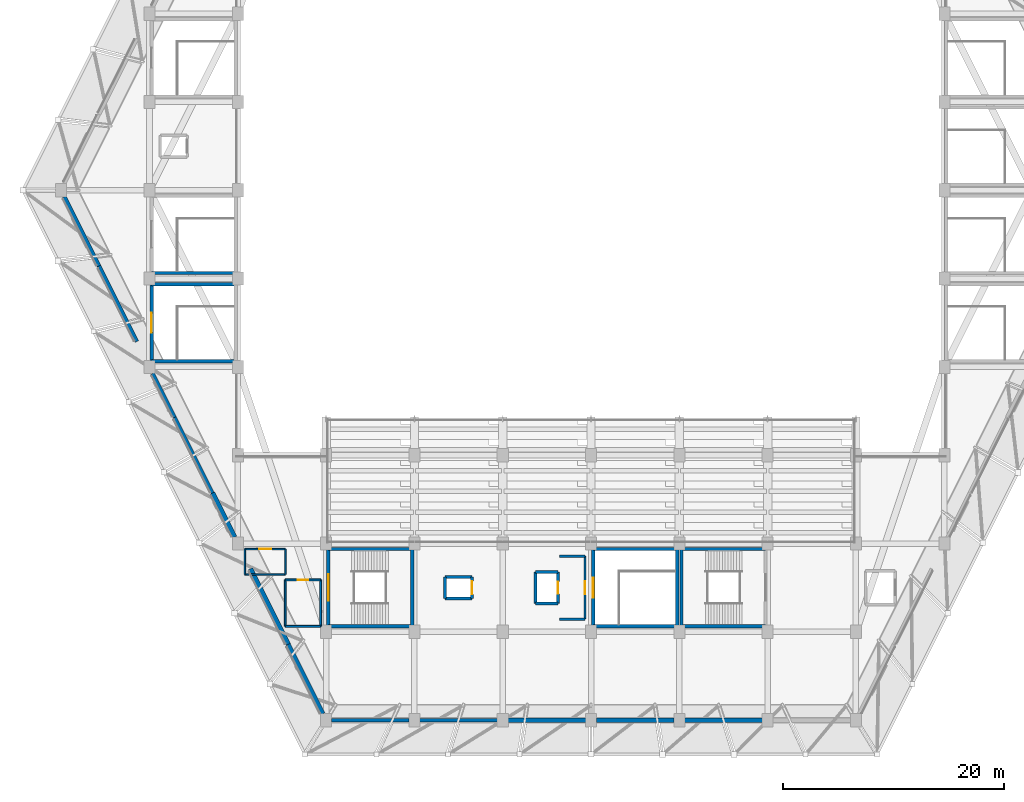
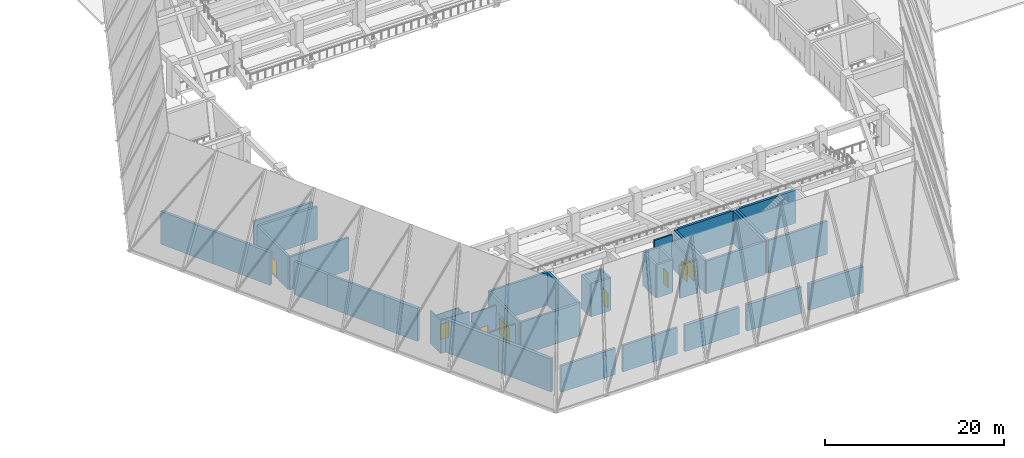
# One storey, part 15 of 24: 46 walls, 8 doors, 8 openings.
"""IFC4 building model written with IfcOpenShell, lengths in metres."""

from ifc_helpers import new_model, si_unit, direction, frame, frame_2d, origin, place, context, subcontext, project, spatial, rectangle, extrude, material, layer, layer_set, type_object, element, fill, save


model = new_model("IFC4")

# Units and contexts
model_context = context("Model", 3, precision=1e-05, world=origin(), true_north=direction((0.0, 1.0)))
body_context = subcontext(model_context, "Body", "Model", "MODEL_VIEW")
ifc_project = project(units=[si_unit("LENGTHUNIT", "METRE"), si_unit("AREAUNIT", "SQUARE_METRE"), si_unit("VOLUMEUNIT", "CUBIC_METRE"), si_unit("PLANEANGLEUNIT", "RADIAN"), si_unit("MASSUNIT", "GRAM", prefix="KILO")], contexts=[model_context])

# Site, building, storey
site_placement = place(None, origin())
site = spatial("IfcSite", under=ifc_project, at=site_placement, CompositionType="ELEMENT")
building_placement = place(site_placement, origin())
building = spatial("IfcBuilding", under=site, at=building_placement, Name="Tazarka Park Arena", CompositionType="ELEMENT")
storey_placement = place(building_placement, frame((0.0, 0.0, 15.0)))
storey = spatial("IfcBuildingStorey", under=building, at=storey_placement, Name="L03", CompositionType="ELEMENT", Elevation=15.0)

# Wall
ifc_material_1 = material(Name="Concrete C40/50", Category="concrete")
ifc_layer_1 = layer(ifc_material_1, 0.300048828125, Name="Concrete C40/50")
ifc_layer_set_1 = layer_set([ifc_layer_1], Name="Concrete C40/50")
wall_type_1 = type_object("IfcWallType", Name="IWAL-CW-S1", PredefinedType="SHEAR", material=ifc_layer_set_1)
wall_1_placement = place(storey_placement, frame((71.800048828125, 24.5, 0.0), z_axis=(0.0, 0.0, 1.0), x_axis=(-1.0, 0.0, 0.0)))
element("IfcWall", 1, at=wall_1_placement, inside=storey, type_object=wall_type_1, Name="SCW-L03-ST09-S", PredefinedType="SHEAR", context=body_context, shape_type="SweptSolid", body=[
    extrude(rectangle(XDim=7.60009765625, YDim=0.300048828125, at=frame_2d((3.800048828125, 0.0))), origin(), (0.0, 0.0, 1.0), 4.5),
])

# Wall, opening, door
wall_2_placement = place(storey_placement, frame((64.199951171875, 24.5, 0.0), z_axis=(0.0, 0.0, 1.0), x_axis=(0.0, 1.0, 0.0)))
wall_2 = element("IfcWall", 2, at=wall_2_placement, inside=storey, type_object=wall_type_1, Name="SCW-L03-ST09-W", PredefinedType="SHEAR", context=body_context, shape_type="SweptSolid", body=[
    extrude(rectangle(XDim=7.0, YDim=0.300048828125, at=frame_2d((3.5, 0.0))), origin(), (0.0, 0.0, 1.0), 4.5),
])
opening_1_placement = place(wall_2_placement, frame((2.300048828125, 0.0, 0.0)))
opening_1 = element("IfcOpeningElement", 3, at=opening_1_placement, cuts=wall_2, Name="Opening ID-05", PredefinedType="OPENING", context=body_context, shape_type="SweptSolid", body=[
    extrude(rectangle(XDim=2.39990234375, YDim=2.199951171875, at=frame_2d((1.199951171875, 1.10009765625))), frame((0.0, 0.16015625, 0.0), z_axis=(0.0, -1.0, 0.0), x_axis=(1.0, 0.0, 0.0)), (0.0, 0.0, 1.0), 0.320068359375),
])
ifc_material_2 = material(Name="Fire-rated powder-coated steel and acoustic timber", Category="steel")
door_type_1 = type_object("IfcDoorType", Name="IDR-ID-05", OperationType="NOTDEFINED", PredefinedType="DOOR", material=ifc_material_2)
door_1_placement = place(opening_1_placement, frame((2.39990234375, 0.0, 0.0), z_axis=(0.0, 0.0, 1.0), x_axis=(-1.0, 0.0, 0.0)))
door_1 = element("IfcDoor", 4, at=door_1_placement, inside=storey, type_object=door_type_1, Name="Exit Stair Door ST09-L03", OperationType="DOUBLE_DOOR_SINGLE_SWING", OverallHeight=2.199951171875, OverallWidth=2.39990234375, PredefinedType="DOOR", context=body_context, shape_type="SweptSolid", body=[
    extrude(rectangle(XDim=2.39990234375, YDim=2.199951171875, at=frame_2d((1.199951171875, 1.10009765625))), frame((0.0, 0.02490234375, 0.0), z_axis=(0.0, -1.0, 0.0), x_axis=(1.0, 0.0, 0.0)), (0.0, 0.0, 1.0), 0.050048828125),
])
fill(opening_1, door_1)

# Walls
wall_3_placement = place(storey_placement, frame((64.199951171875, 31.5, 0.0), z_axis=(0.0, 0.0, 1.0), x_axis=(1.0, 0.0, 0.0)))
element("IfcWall", 5, at=wall_3_placement, inside=storey, type_object=wall_type_1, Name="SCW-L03-ST09-N", PredefinedType="SHEAR", context=body_context, shape_type="SweptSolid", body=[
    extrude(rectangle(XDim=7.60009765625, YDim=0.300048828125, at=frame_2d((3.800048828125, 0.0))), origin(), (0.0, 0.0, 1.0), 4.5),
])
wall_4_placement = place(storey_placement, frame((71.800048828125, 31.5, 0.0), z_axis=(0.0, 0.0, 1.0), x_axis=(0.0, -1.0, 0.0)))
element("IfcWall", 6, at=wall_4_placement, inside=storey, type_object=wall_type_1, Name="SCW-L03-ST09-E", PredefinedType="SHEAR", context=body_context, shape_type="SweptSolid", body=[
    extrude(rectangle(XDim=7.0, YDim=0.300048828125, at=frame_2d((3.5, 0.0))), origin(), (0.0, 0.0, 1.0), 4.5),
])
wall_5_placement = place(storey_placement, frame((103.800048828125, 24.5, 0.0), z_axis=(0.0, 0.0, 1.0), x_axis=(-1.0, 0.0, 0.0)))
element("IfcWall", 7, at=wall_5_placement, inside=storey, type_object=wall_type_1, Name="SCW-L03-ST11-S", PredefinedType="SHEAR", context=body_context, shape_type="SweptSolid", body=[
    extrude(rectangle(XDim=7.60009765625, YDim=0.300048828125, at=frame_2d((3.800048828125, 0.0))), origin(), (0.0, 0.0, 1.0), 4.5),
])
wall_6_placement = place(storey_placement, frame((96.199951171875, 24.5, 0.0), z_axis=(0.0, 0.0, 1.0), x_axis=(0.0, 1.0, 0.0)))
element("IfcWall", 8, at=wall_6_placement, inside=storey, type_object=wall_type_1, Name="SCW-L03-ST11-W", PredefinedType="SHEAR", context=body_context, shape_type="SweptSolid", body=[
    extrude(rectangle(XDim=7.0, YDim=0.300048828125, at=frame_2d((3.5, 0.0))), origin(), (0.0, 0.0, 1.0), 4.5),
])
for number, where, z_axis, x_axis, name in (
    (9, (96.199951171875, 31.5, 0.0), (0.0, 0.0, 1.0), (1.0, 0.0, 0.0), "SCW-L03-ST11-N"),
    (10, (55.800048828125, 56.5, 0.0), (0.0, 0.0, 1.0), (-1.0, 0.0, 0.0), "SCW-L03-ST13-S"),
    (11, (55.800048828125, 48.5, 0.0), (0.0, 0.0, 1.0), (-1.0, 0.0, 0.0), "SCW-L03-ST19-S"),
):
    element("IfcWall", number, at=place(storey_placement, frame(where, z_axis=z_axis, x_axis=x_axis)), inside=storey, type_object=wall_type_1, Name=name, PredefinedType="SHEAR", context=body_context, shape_type="SweptSolid", body=[
        extrude(rectangle(XDim=7.60009765625, YDim=0.300048828125, at=frame_2d((3.800048828125, 0.0))), origin(), (0.0, 0.0, 1.0), 4.5),
    ])

# Wall, opening, door
wall_7_placement = place(storey_placement, frame((48.199951171875, 48.5, 0.0), z_axis=(0.0, 0.0, 1.0), x_axis=(0.0, 1.0, 0.0)))
wall_7 = element("IfcWall", 12, at=wall_7_placement, inside=storey, type_object=wall_type_1, Name="SCW-L03-ST19-W", PredefinedType="SHEAR", context=body_context, shape_type="SweptSolid", body=[
    extrude(rectangle(XDim=7.0, YDim=0.300048828125, at=frame_2d((3.5, 0.0))), origin(), (0.0, 0.0, 1.0), 4.5),
])
opening_2_placement = place(wall_7_placement, frame((2.60009765625, 0.0, 0.0)))
opening_2 = element("IfcOpeningElement", 13, at=opening_2_placement, cuts=wall_7, Name="Opening ID-04", PredefinedType="OPENING", context=body_context, shape_type="SweptSolid", body=[
    extrude(rectangle(XDim=1.800048828125, YDim=2.199951171875, at=frame_2d((0.89990234375, 1.10009765625))), frame((0.0, 0.16015625, 0.0), z_axis=(0.0, -1.0, 0.0), x_axis=(1.0, 0.0, 0.0)), (0.0, 0.0, 1.0), 0.320068359375),
])
ifc_material_3 = material(Name="Fire-rated powder-coated steel and acoustic timber", Category="steel")
door_type_2 = type_object("IfcDoorType", Name="IDR-ID-04", OperationType="NOTDEFINED", PredefinedType="DOOR", material=ifc_material_3)
door_2_placement = place(opening_2_placement, frame((1.800048828125, 0.0, 0.0), z_axis=(0.0, 0.0, 1.0), x_axis=(-1.0, 0.0, 0.0)))
door_2 = element("IfcDoor", 14, at=door_2_placement, inside=storey, type_object=door_type_2, Name="Vomitory Stair Door ST19-L03", OperationType="DOUBLE_DOOR_SINGLE_SWING", OverallHeight=2.199951171875, OverallWidth=1.800048828125, PredefinedType="DOOR", context=body_context, shape_type="SweptSolid", body=[
    extrude(rectangle(XDim=1.800048828125, YDim=2.199951171875, at=frame_2d((0.89990234375, 1.10009765625))), frame((0.0, 0.02490234375, 0.0), z_axis=(0.0, -1.0, 0.0), x_axis=(1.0, 0.0, 0.0)), (0.0, 0.0, 1.0), 0.050048828125),
])
fill(opening_2, door_2)

# Walls
for number, where, z_axis, x_axis, name in (
    (15, (48.199951171875, 55.5, 0.0), (0.0, 0.0, 1.0), (1.0, 0.0, 0.0), "SCW-L03-ST19-N"),
    (16, (95.800048828125, 24.5, 0.0), (0.0, 0.0, 1.0), (-1.0, 0.0, 0.0), "SCW-L03-ST23-S"),
):
    element("IfcWall", number, at=place(storey_placement, frame(where, z_axis=z_axis, x_axis=x_axis)), inside=storey, type_object=wall_type_1, Name=name, PredefinedType="SHEAR", context=body_context, shape_type="SweptSolid", body=[
        extrude(rectangle(XDim=7.60009765625, YDim=0.300048828125, at=frame_2d((3.800048828125, 0.0))), origin(), (0.0, 0.0, 1.0), 4.5),
    ])

# Wall, opening, door
wall_8_placement = place(storey_placement, frame((88.199951171875, 24.5, 0.0), z_axis=(0.0, 0.0, 1.0), x_axis=(0.0, 1.0, 0.0)))
wall_8 = element("IfcWall", 17, at=wall_8_placement, inside=storey, type_object=wall_type_1, Name="SCW-L03-ST23-W", PredefinedType="SHEAR", context=body_context, shape_type="SweptSolid", body=[
    extrude(rectangle(XDim=7.0, YDim=0.300048828125, at=frame_2d((3.5, 0.0))), origin(), (0.0, 0.0, 1.0), 4.5),
])
opening_3_placement = place(wall_8_placement, frame((2.60009765625, 0.0, 0.0)))
opening_3 = element("IfcOpeningElement", 18, at=opening_3_placement, cuts=wall_8, Name="Opening ID-04", PredefinedType="OPENING", context=body_context, shape_type="SweptSolid", body=[
    extrude(rectangle(XDim=1.800048828125, YDim=2.199951171875, at=frame_2d((0.89990234375, 1.10009765625))), frame((0.0, 0.16015625, 0.0), z_axis=(0.0, -1.0, 0.0), x_axis=(1.0, 0.0, 0.0)), (0.0, 0.0, 1.0), 0.320068359375),
])
door_3_placement = place(opening_3_placement, frame((1.800048828125, 0.0, 0.0), z_axis=(0.0, 0.0, 1.0), x_axis=(-1.0, 0.0, 0.0)))
door_3 = element("IfcDoor", 19, at=door_3_placement, inside=storey, type_object=door_type_2, Name="Vomitory Stair Door ST23-L03", OperationType="DOUBLE_DOOR_SINGLE_SWING", OverallHeight=2.199951171875, OverallWidth=1.800048828125, PredefinedType="DOOR", context=body_context, shape_type="SweptSolid", body=[
    extrude(rectangle(XDim=1.800048828125, YDim=2.199951171875, at=frame_2d((0.89990234375, 1.10009765625))), frame((0.0, 0.02490234375, 0.0), z_axis=(0.0, -1.0, 0.0), x_axis=(1.0, 0.0, 0.0)), (0.0, 0.0, 1.0), 0.050048828125),
])
fill(opening_3, door_3)

# Walls
wall_9_placement = place(storey_placement, frame((88.199951171875, 31.5, 0.0), z_axis=(0.0, 0.0, 1.0), x_axis=(1.0, 0.0, 0.0)))
element("IfcWall", 20, at=wall_9_placement, inside=storey, type_object=wall_type_1, Name="SCW-L03-ST23-N", PredefinedType="SHEAR", context=body_context, shape_type="SweptSolid", body=[
    extrude(rectangle(XDim=7.60009765625, YDim=0.300048828125, at=frame_2d((3.800048828125, 0.0))), origin(), (0.0, 0.0, 1.0), 4.5),
])
wall_10_placement = place(storey_placement, frame((95.800048828125, 31.5, 0.0), z_axis=(0.0, 0.0, 1.0), x_axis=(0.0, -1.0, 0.0)))
element("IfcWall", 21, at=wall_10_placement, inside=storey, type_object=wall_type_1, Name="SCW-L03-ST23-E", PredefinedType="SHEAR", context=body_context, shape_type="SweptSolid", body=[
    extrude(rectangle(XDim=7.0, YDim=0.300048828125, at=frame_2d((3.5, 0.0))), origin(), (0.0, 0.0, 1.0), 4.5),
])
ifc_material_4 = material(Name="Concrete C40/50", Category="concrete")
ifc_layer_2 = layer(ifc_material_4, 0.260009765625, Name="Concrete C40/50")
ifc_layer_set_2 = layer_set([ifc_layer_2], Name="Concrete C40/50")
wall_type_2 = type_object("IfcWallType", Name="IWAL-CW-S3", PredefinedType="SHEAR", material=ifc_layer_set_2)
wall_11_placement = place(storey_placement, frame((82.97998046875, 26.580078125, 0.0), z_axis=(0.0, 0.0, 1.0), x_axis=(0.0, 1.0, 0.0)))
element("IfcWall", 22, at=wall_11_placement, inside=storey, type_object=wall_type_2, Name="LSW-L03-LF-04-W", PredefinedType="SHEAR", context=body_context, shape_type="SweptSolid", body=[
    extrude(rectangle(XDim=2.83984375, YDim=0.260009765625, at=frame_2d((1.419921875, 0.0))), origin(), (0.0, 0.0, 1.0), 4.5),
])
for number, where, z_axis, x_axis, name in (
    (23, (82.97998046875, 29.419921875, 0.0), (0.0, 0.0, 1.0), (1.0, 0.0, 0.0), "LSW-L03-LF-04-N"),
    (24, (85.02001953125, 26.580078125, 0.0), (0.0, 0.0, 1.0), (-1.0, 0.0, 0.0), "LSW-L03-LF-04-S"),
):
    element("IfcWall", number, at=place(storey_placement, frame(where, z_axis=z_axis, x_axis=x_axis)), inside=storey, type_object=wall_type_2, Name=name, PredefinedType="SHEAR", context=body_context, shape_type="SweptSolid", body=[
        extrude(rectangle(XDim=2.0400390625, YDim=0.260009765625, at=frame_2d((1.02001953125, 0.0))), origin(), (0.0, 0.0, 1.0), 4.5),
    ])

# Wall, opening, door
wall_12_placement = place(storey_placement, frame((85.02001953125, 29.419921875, 0.0), z_axis=(0.0, 0.0, 1.0), x_axis=(0.0, -1.0, 0.0)))
wall_12 = element("IfcWall", 25, at=wall_12_placement, inside=storey, type_object=wall_type_2, Name="LSW-L03-LF-04-E", PredefinedType="SHEAR", context=body_context, shape_type="SweptSolid", body=[
    extrude(rectangle(XDim=2.83984375, YDim=0.260009765625, at=frame_2d((1.419921875, 0.0))), origin(), (0.0, 0.0, 1.0), 4.5),
])
opening_4_placement = place(wall_12_placement, frame((0.8701171875, 0.0, 0.0)))
opening_4 = element("IfcOpeningElement", 26, at=opening_4_placement, cuts=wall_12, Name="Opening LD-01", PredefinedType="OPENING", context=body_context, shape_type="SweptSolid", body=[
    extrude(rectangle(XDim=1.10009765625, YDim=2.14990234375, at=frame_2d((0.550048828125, 1.074951171875))), frame((0.0, 0.14013671875, 0.0), z_axis=(0.0, -1.0, 0.0), x_axis=(1.0, 0.0, 0.0)), (0.0, 0.0, 1.0), 0.280029296875),
])
ifc_material_5 = material(Name="Fire-rated powder-coated steel and acoustic timber", Category="steel")
door_type_3 = type_object("IfcDoorType", Name="IDR-LD-01", OperationType="NOTDEFINED", PredefinedType="DOOR", material=ifc_material_5)
door_4_placement = place(opening_4_placement, origin())
door_4 = element("IfcDoor", 27, at=door_4_placement, inside=storey, type_object=door_type_3, Name="Lift Landing Door LF-04-L03", OperationType="SLIDING_TO_LEFT", OverallHeight=2.14990234375, OverallWidth=1.10009765625, PredefinedType="DOOR", context=body_context, shape_type="SweptSolid", body=[
    extrude(rectangle(XDim=1.10009765625, YDim=2.14990234375, at=frame_2d((0.550048828125, 1.074951171875))), frame((0.0, 0.02490234375, 0.0), z_axis=(0.0, -1.0, 0.0), x_axis=(1.0, 0.0, 0.0)), (0.0, 0.0, 1.0), 0.050048828125),
])
fill(opening_4, door_4)

# Walls
wall_13_placement = place(storey_placement, frame((74.780029296875, 27.030029296875, 0.0), z_axis=(0.0, 0.0, 1.0), x_axis=(0.0, 1.0, 0.0)))
element("IfcWall", 28, at=wall_13_placement, inside=storey, type_object=wall_type_2, Name="LSW-L03-LF-08-W", PredefinedType="SHEAR", context=body_context, shape_type="SweptSolid", body=[
    extrude(rectangle(XDim=1.93994140625, YDim=0.260009765625, at=frame_2d((0.969970703125, 0.0))), origin(), (0.0, 0.0, 1.0), 4.5),
])
for number, where, z_axis, x_axis, name in (
    (29, (74.780029296875, 28.969970703125, 0.0), (0.0, 0.0, 1.0), (1.0, 0.0, 0.0), "LSW-L03-LF-08-N"),
    (30, (77.219970703125, 27.030029296875, 0.0), (0.0, 0.0, 1.0), (-1.0, 0.0, 0.0), "LSW-L03-LF-08-S"),
):
    element("IfcWall", number, at=place(storey_placement, frame(where, z_axis=z_axis, x_axis=x_axis)), inside=storey, type_object=wall_type_2, Name=name, PredefinedType="SHEAR", context=body_context, shape_type="SweptSolid", body=[
        extrude(rectangle(XDim=2.43994140625, YDim=0.260009765625, at=frame_2d((1.219970703125, 0.0))), origin(), (0.0, 0.0, 1.0), 4.5),
    ])

# Wall, opening, door
wall_14_placement = place(storey_placement, frame((77.219970703125, 28.969970703125, 0.0), z_axis=(0.0, 0.0, 1.0), x_axis=(0.0, -1.0, 0.0)))
wall_14 = element("IfcWall", 31, at=wall_14_placement, inside=storey, type_object=wall_type_2, Name="LSW-L03-LF-08-E", PredefinedType="SHEAR", context=body_context, shape_type="SweptSolid", body=[
    extrude(rectangle(XDim=1.93994140625, YDim=0.260009765625, at=frame_2d((0.969970703125, 0.0))), origin(), (0.0, 0.0, 1.0), 4.5),
])
opening_5_placement = place(wall_14_placement, frame((0.3701171875, 0.0, 0.0)))
opening_5 = element("IfcOpeningElement", 32, at=opening_5_placement, cuts=wall_14, Name="Opening LD-02", PredefinedType="OPENING", context=body_context, shape_type="SweptSolid", body=[
    extrude(rectangle(XDim=1.199951171875, YDim=2.14990234375, at=frame_2d((0.60009765625, 1.074951171875))), frame((0.0, 0.14013671875, 0.0), z_axis=(0.0, -1.0, 0.0), x_axis=(1.0, 0.0, 0.0)), (0.0, 0.0, 1.0), 0.280029296875),
])
ifc_material_6 = material(Name="Fire-rated powder-coated steel and acoustic timber", Category="steel")
door_type_4 = type_object("IfcDoorType", Name="IDR-LD-02", OperationType="NOTDEFINED", PredefinedType="DOOR", material=ifc_material_6)
door_5_placement = place(opening_5_placement, origin())
door_5 = element("IfcDoor", 33, at=door_5_placement, inside=storey, type_object=door_type_4, Name="Lift Landing Door LF-08-L03", OperationType="SLIDING_TO_LEFT", OverallHeight=2.14990234375, OverallWidth=1.199951171875, PredefinedType="DOOR", context=body_context, shape_type="SweptSolid", body=[
    extrude(rectangle(XDim=1.199951171875, YDim=2.14990234375, at=frame_2d((0.60009765625, 1.074951171875))), frame((0.0, 0.02490234375, 0.0), z_axis=(0.0, -1.0, 0.0), x_axis=(1.0, 0.0, 0.0)), (0.0, 0.0, 1.0), 0.050048828125),
])
fill(opening_5, door_5)

# Walls
ifc_material_7 = material(Name="Reinforced masonry compartment wall", Category="masonry")
ifc_layer_3 = layer(ifc_material_7, 0.199951171875, Name="Reinforced masonry compartment wall")
ifc_layer_set_3 = layer_set([ifc_layer_3], Name="Reinforced masonry compartment wall")
wall_type_3 = type_object("IfcWallType", Name="IWAL-PT-04", PredefinedType="PARTITIONING", material=ifc_layer_set_3)
for number, where, z_axis, x_axis, name in (
    (34, (85.14990234375, 30.85009765625, 0.0), (0.0, 0.0, 1.0), (1.0, 0.0, 0.0), "FFW-L03-LF-04-N"),
    (35, (87.449951171875, 25.14990234375, 0.0), (0.0, 0.0, 1.0), (-1.0, 0.0, 0.0), "FFW-L03-LF-04-S"),
):
    element("IfcWall", number, at=place(storey_placement, frame(where, z_axis=z_axis, x_axis=x_axis)), inside=storey, type_object=wall_type_3, Name=name, PredefinedType="PARTITIONING", context=body_context, shape_type="SweptSolid", body=[
        extrude(rectangle(XDim=2.300048828125, YDim=0.199951171875, at=frame_2d((1.14990234375, 0.0))), origin(), (0.0, 0.0, 1.0), 4.5),
    ])

# Wall, opening, door
wall_15_placement = place(storey_placement, frame((87.449951171875, 30.85009765625, 0.0), z_axis=(0.0, 0.0, 1.0), x_axis=(0.0, -1.0, 0.0)))
wall_15 = element("IfcWall", 36, at=wall_15_placement, inside=storey, type_object=wall_type_3, Name="FFW-L03-LF-04-E", PredefinedType="PARTITIONING", context=body_context, shape_type="SweptSolid", body=[
    extrude(rectangle(XDim=5.7001953125, YDim=0.199951171875, at=frame_2d((2.85009765625, 0.0))), origin(), (0.0, 0.0, 1.0), 3.60009765625),
])
opening_6_placement = place(wall_15_placement, frame((2.25, 0.0, 0.0)))
opening_6 = element("IfcOpeningElement", 37, at=opening_6_placement, cuts=wall_15, Name="Opening ID-03", PredefinedType="OPENING", context=body_context, shape_type="SweptSolid", body=[
    extrude(rectangle(XDim=1.199951171875, YDim=2.199951171875, at=frame_2d((0.60009765625, 1.10009765625))), frame((0.0, 0.10986328125, 0.0), z_axis=(0.0, -1.0, 0.0), x_axis=(1.0, 0.0, 0.0)), (0.0, 0.0, 1.0), 0.219970703125),
])
ifc_material_8 = material(Name="Fire-rated powder-coated steel and acoustic timber", Category="steel")
door_type_5 = type_object("IfcDoorType", Name="IDR-ID-03", OperationType="NOTDEFINED", PredefinedType="DOOR", material=ifc_material_8)
door_6_placement = place(opening_6_placement, origin())
door_6 = element("IfcDoor", 38, at=door_6_placement, inside=storey, type_object=door_type_5, Name="Firefighting Lobby Door LF-04-L03", OperationType="SINGLE_SWING_RIGHT", OverallHeight=2.199951171875, OverallWidth=1.199951171875, PredefinedType="DOOR", context=body_context, shape_type="SweptSolid", body=[
    extrude(rectangle(XDim=1.199951171875, YDim=2.199951171875, at=frame_2d((0.60009765625, 1.10009765625))), frame((0.0, 0.02490234375, 0.0), z_axis=(0.0, -1.0, 0.0), x_axis=(1.0, 0.0, 0.0)), (0.0, 0.0, 1.0), 0.050048828125),
])
fill(opening_6, door_6)

# Walls
ifc_material_9 = material(Name="Acoustic gypsum stud partition")
ifc_layer_4 = layer(ifc_material_9, 0.135009765625, Name="Acoustic gypsum stud partition")
ifc_layer_set_4 = layer_set([ifc_layer_4], Name="Acoustic gypsum stud partition")
wall_type_4 = type_object("IfcWallType", Name="IWAL-PT-10", PredefinedType="PARTITIONING", material=ifc_layer_set_4)
wall_16_placement = place(storey_placement, frame((56.641357421875, 29.199951171875, 0.0), z_axis=(0.0, 0.0, 1.0), x_axis=(1.0, 0.0, 0.0)))
element("IfcWall", 39, at=wall_16_placement, inside=storey, type_object=wall_type_4, Name="WCE-L03-107", PredefinedType="PARTITIONING", context=body_context, shape_type="SweptSolid", body=[
    extrude(rectangle(XDim=3.65869140625, YDim=0.135009765625, at=frame_2d((1.829345703125, 0.0))), origin(), (0.0, 0.0, 1.0), 4.5),
])
wall_17_placement = place(storey_placement, frame((60.300048828125, 29.199951171875, 0.0), z_axis=(0.0, 0.0, 1.0), x_axis=(0.0, 1.0, 0.0)))
element("IfcWall", 40, at=wall_17_placement, inside=storey, type_object=wall_type_4, Name="WCE-L03-108", PredefinedType="PARTITIONING", context=body_context, shape_type="SweptSolid", body=[
    extrude(rectangle(XDim=2.300048828125, YDim=0.135009765625, at=frame_2d((1.14990234375, 0.0))), origin(), (0.0, 0.0, 1.0), 3.449951171875),
])

# Wall, opening, door
wall_18_placement = place(storey_placement, frame((60.300048828125, 31.5, 0.0), z_axis=(0.0, 0.0, 1.0), x_axis=(-1.0, 0.0, 0.0)))
wall_18 = element("IfcWall", 41, at=wall_18_placement, inside=storey, type_object=wall_type_4, Name="WCE-L03-109", PredefinedType="PARTITIONING", context=body_context, shape_type="SweptSolid", body=[
    extrude(rectangle(XDim=3.65869140625, YDim=0.135009765625, at=frame_2d((1.829345703125, 0.0))), origin(), (0.0, 0.0, 1.0), 3.60009765625),
])
opening_7_placement = place(wall_18_placement, frame((1.279296875, 0.0, 0.0)))
opening_7 = element("IfcOpeningElement", 42, at=opening_7_placement, cuts=wall_18, Name="Opening ID-02", PredefinedType="OPENING", context=body_context, shape_type="SweptSolid", body=[
    extrude(rectangle(XDim=1.10009765625, YDim=2.14990234375, at=frame_2d((0.550048828125, 1.074951171875))), frame((0.0, 0.07763671875, 0.0), z_axis=(0.0, -1.0, 0.0), x_axis=(1.0, 0.0, 0.0)), (0.0, 0.0, 1.0), 0.155029296875),
])
ifc_material_10 = material(Name="Fire-rated powder-coated steel and acoustic timber", Category="steel")
door_type_6 = type_object("IfcDoorType", Name="IDR-ID-02", OperationType="NOTDEFINED", PredefinedType="DOOR", material=ifc_material_10)
door_7_placement = place(opening_7_placement, origin())
door_7 = element("IfcDoor", 43, at=door_7_placement, inside=storey, type_object=door_type_6, Name="Room Door Accessible WC South 1", OperationType="SINGLE_SWING_RIGHT", OverallHeight=2.14990234375, OverallWidth=1.10009765625, PredefinedType="DOOR", context=body_context, shape_type="SweptSolid", body=[
    extrude(rectangle(XDim=1.10009765625, YDim=2.14990234375, at=frame_2d((0.550048828125, 1.074951171875))), frame((0.0, 0.02490234375, 0.0), z_axis=(0.0, -1.0, 0.0), x_axis=(1.0, 0.0, 0.0)), (0.0, 0.0, 1.0), 0.050048828125),
])
fill(opening_7, door_7)

# Walls
wall_19_placement = place(storey_placement, frame((56.641357421875, 31.5, 0.0), z_axis=(0.0, 0.0, 1.0), x_axis=(0.0, -1.0, 0.0)))
element("IfcWall", 44, at=wall_19_placement, inside=storey, type_object=wall_type_4, Name="WCE-L03-110", PredefinedType="PARTITIONING", context=body_context, shape_type="SweptSolid", body=[
    extrude(rectangle(XDim=2.300048828125, YDim=0.135009765625, at=frame_2d((1.14990234375, 0.0))), origin(), (0.0, 0.0, 1.0), 4.5),
])
ifc_material_11 = material(Name="Wet-zone tiled blockwork wall", Category="masonry")
ifc_layer_5 = layer(ifc_material_11, 0.175048828125, Name="Wet-zone tiled blockwork wall")
ifc_layer_set_5 = layer_set([ifc_layer_5], Name="Wet-zone tiled blockwork wall")
wall_type_5 = type_object("IfcWallType", Name="IWAL-PT-18", PredefinedType="PARTITIONING", material=ifc_layer_set_5)
wall_20_placement = place(storey_placement, frame((60.300048828125, 24.5, 0.0), z_axis=(0.0, 0.0, 1.0), x_axis=(1.0, 0.0, 0.0)))
element("IfcWall", 45, at=wall_20_placement, inside=storey, type_object=wall_type_5, Name="WCE-L03-103", PredefinedType="PARTITIONING", context=body_context, shape_type="SweptSolid", body=[
    extrude(rectangle(XDim=3.199951171875, YDim=0.175048828125, at=frame_2d((1.60009765625, 0.0))), origin(), (0.0, 0.0, 1.0), 4.5),
])
wall_21_placement = place(storey_placement, frame((63.5, 24.5, 0.0), z_axis=(0.0, 0.0, 1.0), x_axis=(0.0, 1.0, 0.0)))
element("IfcWall", 46, at=wall_21_placement, inside=storey, type_object=wall_type_5, Name="WCE-L03-104", PredefinedType="PARTITIONING", context=body_context, shape_type="SweptSolid", body=[
    extrude(rectangle(XDim=4.199951171875, YDim=0.175048828125, at=frame_2d((2.10009765625, 0.0))), origin(), (0.0, 0.0, 1.0), 3.60009765625),
])

# Wall, opening, door
wall_22_placement = place(storey_placement, frame((63.5, 28.699951171875, 0.0), z_axis=(0.0, 0.0, 1.0), x_axis=(-1.0, 0.0, 0.0)))
wall_22 = element("IfcWall", 47, at=wall_22_placement, inside=storey, type_object=wall_type_5, Name="WCE-L03-105", PredefinedType="PARTITIONING", context=body_context, shape_type="SweptSolid", body=[
    extrude(rectangle(XDim=3.199951171875, YDim=0.175048828125, at=frame_2d((1.60009765625, 0.0))), origin(), (0.0, 0.0, 1.0), 4.5),
])
opening_8_placement = place(wall_22_placement, frame((1.125, 0.0, 0.0)))
opening_8 = element("IfcOpeningElement", 48, at=opening_8_placement, cuts=wall_22, Name="Opening ID-09", PredefinedType="OPENING", context=body_context, shape_type="SweptSolid", body=[
    extrude(rectangle(XDim=0.949951171875, YDim=2.14990234375, at=frame_2d((0.47509765625, 1.074951171875))), frame((0.0, 0.09765625, 0.0), z_axis=(0.0, -1.0, 0.0), x_axis=(1.0, 0.0, 0.0)), (0.0, 0.0, 1.0), 0.195068359375),
])
ifc_material_12 = material(Name="Fire-rated powder-coated steel and acoustic timber", Category="steel")
door_type_7 = type_object("IfcDoorType", Name="IDR-ID-09", OperationType="NOTDEFINED", PredefinedType="DOOR", material=ifc_material_12)
door_8_placement = place(opening_8_placement, origin())
door_8 = element("IfcDoor", 49, at=door_8_placement, inside=storey, type_object=door_type_7, Name="Room Door Public Female WC South 1", OperationType="SINGLE_SWING_LEFT", OverallHeight=2.14990234375, OverallWidth=0.949951171875, PredefinedType="DOOR", context=body_context, shape_type="SweptSolid", body=[
    extrude(rectangle(XDim=0.949951171875, YDim=2.14990234375, at=frame_2d((0.47509765625, 1.074951171875))), frame((0.0, 0.02490234375, 0.0), z_axis=(0.0, -1.0, 0.0), x_axis=(1.0, 0.0, 0.0)), (0.0, 0.0, 1.0), 0.050048828125),
])
fill(opening_8, door_8)

# Walls
wall_23_placement = place(storey_placement, frame((60.300048828125, 28.699951171875, 0.0), z_axis=(0.0, 0.0, 1.0), x_axis=(0.0, -1.0, 0.0)))
element("IfcWall", 50, at=wall_23_placement, inside=storey, type_object=wall_type_5, Name="WCE-L03-106", PredefinedType="PARTITIONING", context=body_context, shape_type="SweptSolid", body=[
    extrude(rectangle(XDim=4.199951171875, YDim=0.175048828125, at=frame_2d((2.10009765625, 0.0))), origin(), (0.0, 0.0, 1.0), 3.449951171875),
])
ifc_material_13 = material(Name="Precast concrete C40/50", Category="concrete")
ifc_layer_6 = layer(ifc_material_13, 0.300048828125, Name="Precast concrete C40/50")
ifc_layer_set_6 = layer_set([ifc_layer_6], Name="Precast concrete C40/50")
wall_type_6 = type_object("IfcWallType", Name="WAL-EW-01", PredefinedType="SOLIDWALL", material=ifc_layer_set_6)
wall_24_placement = place(storey_placement, frame((79.52001953125, 16.0, 0.0), z_axis=(0.0, 0.0, 1.0), x_axis=(-1.0, 0.0, 0.0)))
element("IfcWall", 51, at=wall_24_placement, inside=storey, type_object=wall_type_6, Name="EW-L03-0288", PredefinedType="SOLIDWALL", context=body_context, shape_type="SweptSolid", body=[
    extrude(rectangle(XDim=7.0400390625, YDim=0.300048828125, at=frame_2d((3.52001953125, 0.0))), origin(), (0.0, 0.0, 1.0), 3.60009765625),
])
wall_25_placement = place(storey_placement, frame((53.71435546875, 36.5712890625, 0.0), z_axis=(0.0, 0.0, 1.0), x_axis=(-0.4472135955, 0.894427191, 0.0)))
element("IfcWall", 52, at=wall_25_placement, inside=storey, type_object=wall_type_6, Name="EW-L03-0320", PredefinedType="SOLIDWALL", context=body_context, shape_type="SweptSolid", body=[
    extrude(rectangle(XDim=7.666748046875, YDim=0.300048828125, at=frame_2d((3.83349609375, 0.0))), origin(), (0.0, 0.0, 1.0), 4.5),
])
ifc_material_14 = material(Name="Precast concrete C40/50", Category="concrete")
ifc_layer_7 = layer(ifc_material_14, 0.320068359375, Name="Precast concrete C40/50")
ifc_layer_set_7 = layer_set([ifc_layer_7], Name="Precast concrete C40/50")
wall_type_7 = type_object("IfcWallType", Name="WAL-EW-02", PredefinedType="SOLIDWALL", material=ifc_layer_set_7)
wall_26_placement = place(storey_placement, frame((71.52001953125, 16.0, 0.0), z_axis=(0.0, 0.0, 1.0), x_axis=(-1.0, 0.0, 0.0)))
element("IfcWall", 53, at=wall_26_placement, inside=storey, type_object=wall_type_7, Name="EW-L03-0289", PredefinedType="SOLIDWALL", context=body_context, shape_type="SweptSolid", body=[
    extrude(rectangle(XDim=7.0400390625, YDim=0.320068359375, at=frame_2d((3.52001953125, 0.0))), origin(), (0.0, 0.0, 1.0), 3.60009765625),
])
wall_27_placement = place(storey_placement, frame((50.28564453125, 43.4287109375, 0.0), z_axis=(0.0, 0.0, 1.0), x_axis=(-0.4472135955, 0.894427191, 0.0)))
element("IfcWall", 54, at=wall_27_placement, inside=storey, type_object=wall_type_7, Name="EW-L03-0321", PredefinedType="SOLIDWALL", context=body_context, shape_type="SweptSolid", body=[
    extrude(rectangle(XDim=4.46240234375, YDim=0.320068359375, at=frame_2d((2.231201171875, 0.0))), origin(), (0.0, 0.0, 1.0), 4.5),
])
ifc_material_15 = material(Name="Concrete C40/50", Category="concrete")
ifc_layer_8 = layer(ifc_material_15, 0.340087890625, Name="Concrete C40/50")
ifc_layer_set_8 = layer_set([ifc_layer_8], Name="Concrete C40/50")
wall_type_8 = type_object("IfcWallType", Name="WAL-EW-03", PredefinedType="SOLIDWALL", material=ifc_layer_set_8)
wall_28_placement = place(storey_placement, frame((46.857177734375, 50.28564453125, 0.0), z_axis=(0.0, 0.0, 1.0), x_axis=(-0.447200857411, 0.894433559931, 0.0)))
element("IfcWall", 55, at=wall_28_placement, inside=storey, type_object=wall_type_8, Name="EW-L03-0322", PredefinedType="SOLIDWALL", context=body_context, shape_type="SweptSolid", body=[
    extrude(rectangle(XDim=7.66650390625, YDim=0.340087890625, at=frame_2d((3.833251953125, 0.0))), origin(), (0.0, 0.0, 1.0), 4.5),
])
ifc_material_16 = material(Name="Concrete C40/50", Category="concrete")
ifc_layer_9 = layer(ifc_material_16, 0.360107421875, Name="Concrete C40/50")
ifc_layer_set_9 = layer_set([ifc_layer_9], Name="Concrete C40/50")
wall_type_9 = type_object("IfcWallType", Name="WAL-EW-04", PredefinedType="SOLIDWALL", material=ifc_layer_set_9)
wall_29_placement = place(storey_placement, frame((43.4287109375, 57.142822265625, 0.0), z_axis=(0.0, 0.0, 1.0), x_axis=(-0.447227510427, 0.894420233401, 0.0)))
element("IfcWall", 56, at=wall_29_placement, inside=storey, type_object=wall_type_9, Name="EW-L03-0323", PredefinedType="SOLIDWALL", context=body_context, shape_type="SweptSolid", body=[
    extrude(rectangle(XDim=7.01806640625, YDim=0.360107421875, at=frame_2d((3.509033203125, 0.0))), origin(), (0.0, 0.0, 1.0), 4.5),
])
ifc_material_17 = material(Name="Concrete C50/60", Category="concrete")
ifc_layer_10 = layer(ifc_material_17, 0.409912109375, Name="Concrete C50/60")
ifc_layer_set_10 = layer_set([ifc_layer_10], Name="Concrete C50/60")
wall_type_10 = type_object("IfcWallType", Name="WAL-EW-14", PredefinedType="SOLIDWALL", material=ifc_layer_set_10)
wall_30_placement = place(storey_placement, frame((103.52001953125, 16.0, 0.0), z_axis=(0.0, 0.0, 1.0), x_axis=(-1.0, 0.0, 0.0)))
element("IfcWall", 57, at=wall_30_placement, inside=storey, type_object=wall_type_10, Name="EW-L03-0285", PredefinedType="SOLIDWALL", context=body_context, shape_type="SweptSolid", body=[
    extrude(rectangle(XDim=7.0400390625, YDim=0.409912109375, at=frame_2d((3.52001953125, 0.0))), origin(), (0.0, 0.0, 1.0), 3.60009765625),
])
wall_31_placement = place(storey_placement, frame((63.7099609375, 16.580078125, 0.0), z_axis=(0.0, 0.0, 1.0), x_axis=(-0.447227510427, 0.894420233401, 0.0)))
element("IfcWall", 58, at=wall_31_placement, inside=storey, type_object=wall_type_10, Name="EW-L03-0317", PredefinedType="SOLIDWALL", context=body_context, shape_type="SweptSolid", body=[
    extrude(rectangle(XDim=7.01806640625, YDim=0.409912109375, at=frame_2d((3.509033203125, 0.0))), origin(), (0.0, 0.0, 1.0), 4.5),
])
ifc_material_18 = material(Name="Concrete C50/60", Category="concrete")
ifc_layer_11 = layer(ifc_material_18, 0.419921875, Name="Concrete C50/60")
ifc_layer_set_11 = layer_set([ifc_layer_11], Name="Concrete C50/60")
wall_type_11 = type_object("IfcWallType", Name="WAL-EW-15", PredefinedType="SOLIDWALL", material=ifc_layer_set_11)
wall_32_placement = place(storey_placement, frame((95.52001953125, 16.0, 0.0), z_axis=(0.0, 0.0, 1.0), x_axis=(-1.0, 0.0, 0.0)))
element("IfcWall", 59, at=wall_32_placement, inside=storey, type_object=wall_type_11, Name="EW-L03-0286", PredefinedType="SOLIDWALL", context=body_context, shape_type="SweptSolid", body=[
    extrude(rectangle(XDim=7.0400390625, YDim=0.419921875, at=frame_2d((3.52001953125, 0.0))), origin(), (0.0, 0.0, 1.0), 3.60009765625),
])
wall_33_placement = place(storey_placement, frame((60.5712890625, 22.857177734375, 0.0), z_axis=(0.0, 0.0, 1.0), x_axis=(-0.447200857411, 0.894433559931, 0.0)))
element("IfcWall", 60, at=wall_33_placement, inside=storey, type_object=wall_type_11, Name="EW-L03-0318", PredefinedType="SOLIDWALL", context=body_context, shape_type="SweptSolid", body=[
    extrude(rectangle(XDim=7.66650390625, YDim=0.419921875, at=frame_2d((3.833251953125, 0.0))), origin(), (0.0, 0.0, 1.0), 4.5),
])
ifc_material_19 = material(Name="Concrete C50/60", Category="concrete")
ifc_layer_12 = layer(ifc_material_19, 0.429931640625, Name="Concrete C50/60")
ifc_layer_set_12 = layer_set([ifc_layer_12], Name="Concrete C50/60")
wall_type_12 = type_object("IfcWallType", Name="WAL-EW-16", PredefinedType="SOLIDWALL", material=ifc_layer_set_12)
wall_34_placement = place(storey_placement, frame((87.52001953125, 16.0, 0.0), z_axis=(0.0, 0.0, 1.0), x_axis=(-1.0, 0.0, 0.0)))
element("IfcWall", 61, at=wall_34_placement, inside=storey, type_object=wall_type_12, Name="EW-L03-0287", PredefinedType="SOLIDWALL", context=body_context, shape_type="SweptSolid", body=[
    extrude(rectangle(XDim=7.0400390625, YDim=0.429931640625, at=frame_2d((3.52001953125, 0.0))), origin(), (0.0, 0.0, 1.0), 3.60009765625),
])
wall_35_placement = place(storey_placement, frame((55.7099609375, 32.580078125, 0.0), z_axis=(0.0, 0.0, 1.0), x_axis=(-0.4472135955, 0.894427191, 0.0)))
element("IfcWall", 62, at=wall_35_placement, inside=storey, type_object=wall_type_12, Name="EW-L03-0319", PredefinedType="SOLIDWALL", context=body_context, shape_type="SweptSolid", body=[
    extrude(rectangle(XDim=4.46240234375, YDim=0.429931640625, at=frame_2d((2.231201171875, 0.0))), origin(), (0.0, 0.0, 1.0), 4.5),
])

save(model, "model.ifc")
